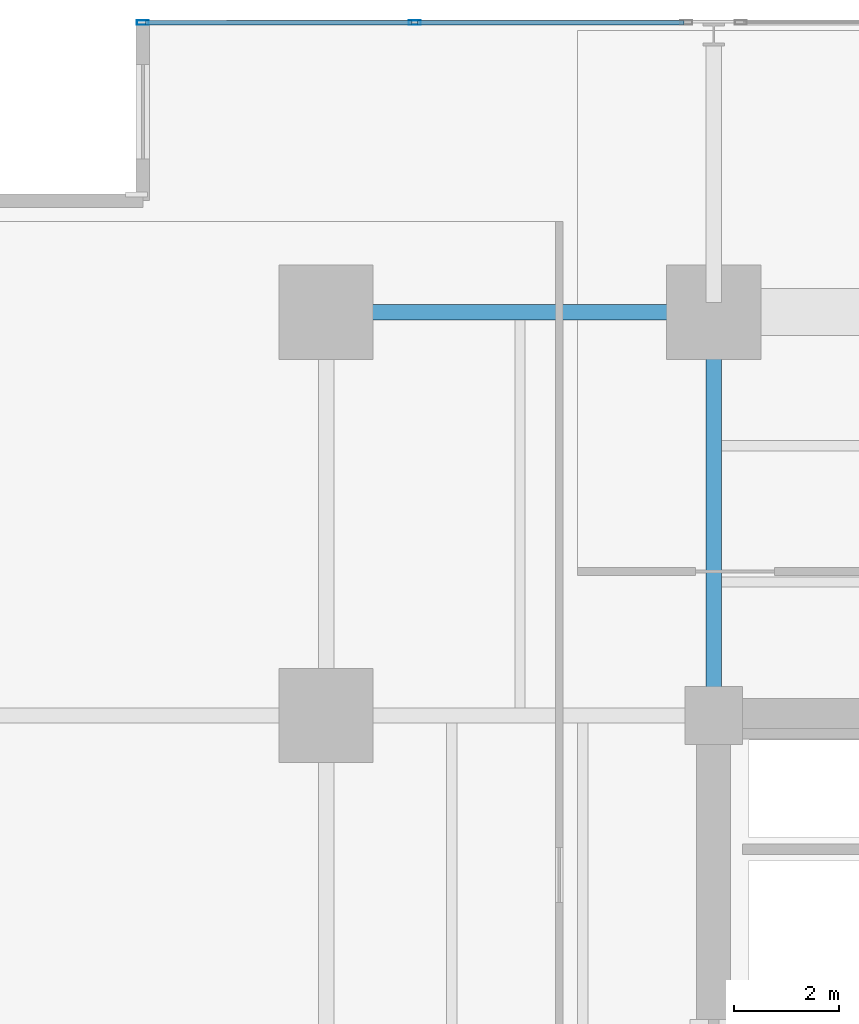
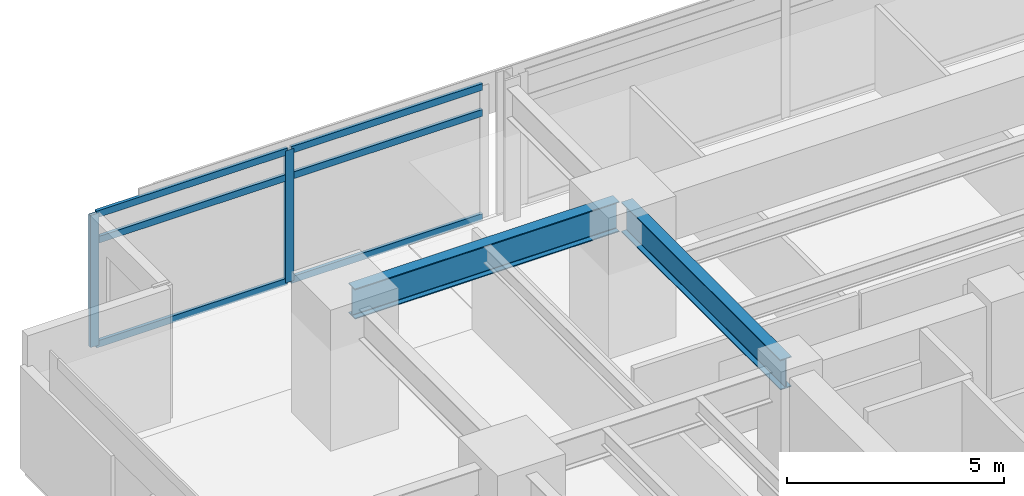
# One storey, part 6 of 23: 8 members, 2 beams, 1 element without a shape of its own.
"""IFC4 building model written with IfcOpenShell, lengths in metres."""

from ifc_helpers import new_model, si_unit, direction, frame, origin, origin_2d, place, context, subcontext, project, spatial, hollow_rectangle, i_section, extrude, material, material_profile, profile_set, type_object, element, aggregate, save


model = new_model("IFC4")

# Units and contexts
model_context = context("Model", 3, precision=1e-05, world=origin(), true_north=direction((0.0, 1.0)))
body_context = subcontext(model_context, "Body", "Model", "MODEL_VIEW")
ifc_project = project(units=[si_unit("LENGTHUNIT", "METRE"), si_unit("AREAUNIT", "SQUARE_METRE"), si_unit("VOLUMEUNIT", "CUBIC_METRE"), si_unit("PLANEANGLEUNIT", "RADIAN"), si_unit("MASSUNIT", "GRAM", prefix="KILO")], contexts=[model_context])

# Site, building, storey
site_placement = place(None, origin())
site = spatial("IfcSite", under=ifc_project, at=site_placement, CompositionType="ELEMENT")
building_placement = place(site_placement, origin())
building = spatial("IfcBuilding", under=site, at=building_placement, Name="Kovane Verandah Tower", CompositionType="ELEMENT")
storey_placement = place(building_placement, frame((0.0, 0.0, 55.60009765625)))
storey = spatial("IfcBuildingStorey", under=building, at=storey_placement, Name="L12", CompositionType="ELEMENT", Elevation=55.60009765625)

# Beams
ifc_material_1 = material(Name="Steel S355", Category="steel")
ifc_material_profile_1 = material_profile(ifc_material_1, i_section(OverallWidth=0.293701171875, OverallDepth=0.850830078125, WebThickness=0.01611328125, FlangeThickness=0.02685546875, FilletRadius=0.017822265625, at=origin_2d()), Name="UB838x292x226")
ifc_profile_set_1 = profile_set([ifc_material_profile_1], Name="Steel S355")
beam_type = type_object("IfcBeamType", Name="BM-UB838x226", PredefinedType="BEAM", material=ifc_profile_set_1)
beam_1_placement = place(storey_placement, frame((21.780029296875, 44.199951171875, 3.33447265625), z_axis=(1.0, 0.0, 0.0), x_axis=(0.0, 1.0, 0.0)))
element("IfcBeam", 1, at=beam_1_placement, inside=storey, type_object=beam_type, Name="L12 Primary Tower Girder G-RN1", PredefinedType="BEAM", context=body_context, shape_type="SweptSolid", body=[
    extrude(i_section(OverallWidth=0.293701171875, OverallDepth=0.850830078125, WebThickness=0.01611328125, FlangeThickness=0.02685546875, FilletRadius=0.017822265625, at=origin_2d()), origin(), (0.0, 0.0, 1.0), 7.0400390625),
])
beam_2_placement = place(storey_placement, frame((29.0, 36.679931640625, 3.33447265625), z_axis=(0.0, 1.0, 0.0), x_axis=(-1.0, 0.0, 0.0)))
element("IfcBeam", 2, at=beam_2_placement, inside=storey, type_object=beam_type, Name="L12 Primary Tower Girder G-N1", PredefinedType="BEAM", context=body_context, shape_type="SweptSolid", body=[
    extrude(i_section(OverallWidth=0.293701171875, OverallDepth=0.850830078125, WebThickness=0.01611328125, FlangeThickness=0.02685546875, FilletRadius=0.017822265625, at=origin_2d()), origin(), (0.0, 0.0, 1.0), 7.340087890625),
])

# Curtain wall, members
ifc_material_2 = material(Name="Champagne Anodised Aluminium Frame with Low-E Clear Laminated Glass", Category="aluminium")
curtain_wall_type = type_object("IfcCurtainWallType", Name="CW-SYS-02-LOW", PredefinedType="NOTDEFINED", material=ifc_material_2)
curtain_wall_placement = place(storey_placement, origin())
curtain_wall = element("IfcCurtainWall", 3, at=curtain_wall_placement, inside=storey, type_object=curtain_wall_type, Name="L12 N Unitised Curtain Wall-3", PredefinedType="NOTDEFINED")
ifc_material_3 = material(Name="Champagne Anodised Aluminium 6063-T6", Category="aluminium")
ifc_material_profile_2 = material_profile(ifc_material_3, hollow_rectangle(XDim=0.0849609375, YDim=0.22998046875, WallThickness=0.00390625, at=origin_2d()), Name="AL85x230x4")
ifc_profile_set_2 = profile_set([ifc_material_profile_2], Name="Champagne Anodised Aluminium 6063-T6")
member_type_1 = type_object("IfcMemberType", Name="CW-MUL-85x230", PredefinedType="MULLION", material=ifc_profile_set_2)
member_1_placement = place(storey_placement, frame((23.2919921875, 49.727294921875, 0.02001953125), z_axis=(0.0, 0.0, 1.0), x_axis=(0.0, 1.0, 0.0)))
member_1 = element("IfcMember", 4, at=member_1_placement, type_object=member_type_1, Name="L12 N Unitised Curtain Wall-3 Mullion 2", PredefinedType="MULLION", context=body_context, shape_type="SweptSolid", body=[
    extrude(hollow_rectangle(XDim=0.0849609375, YDim=0.22998046875, WallThickness=0.00390625, at=origin_2d()), origin(), (0.0, 0.0, 1.0), 3.719970703125),
])
member_2_placement = place(storey_placement, frame((18.10400390625, 49.727294921875, 0.02001953125), z_axis=(0.0, 0.0, 1.0), x_axis=(0.0, 1.0, 0.0)))
member_2 = element("IfcMember", 5, at=member_2_placement, type_object=member_type_1, Name="L12 N Unitised Curtain Wall-3 Mullion 3", PredefinedType="MULLION", context=body_context, shape_type="SweptSolid", body=[
    extrude(hollow_rectangle(XDim=0.0849609375, YDim=0.22998046875, WallThickness=0.00390625, at=origin_2d()), origin(), (0.0, 0.0, 1.0), 3.719970703125),
])
ifc_material_profile_3 = material_profile(ifc_material_3, hollow_rectangle(XDim=0.0849609375, YDim=0.18994140625, WallThickness=0.00390625, at=origin_2d()), Name="AL85x190x4")
ifc_profile_set_3 = profile_set([ifc_material_profile_3], Name="Champagne Anodised Aluminium 6063-T6")
member_type_2 = type_object("IfcMemberType", Name="CW-TRN-85x190", PredefinedType="USERDEFINED", material=ifc_profile_set_3)
member_3_placement = place(storey_placement, frame((28.429931640625, 49.727294921875, 0.0498046875), z_axis=(-1.0, 0.0, 0.0), x_axis=(0.0, -1.0, 0.0)))
member_3 = element("IfcMember", 6, at=member_3_placement, type_object=member_type_2, Name="L12 N Unitised Curtain Wall-3 Transom TB Bay 1", ObjectType="TRANSOM", PredefinedType="USERDEFINED", context=body_context, shape_type="SweptSolid", body=[
    extrude(hollow_rectangle(XDim=0.0849609375, YDim=0.18994140625, WallThickness=0.00390625, at=origin_2d()), origin(), (0.0, 0.0, 1.0), 5.087890625),
])
member_4_placement = place(storey_placement, frame((28.429931640625, 49.727294921875, 2.97998046875), z_axis=(-1.0, 0.0, 0.0), x_axis=(0.0, -1.0, 0.0)))
member_4 = element("IfcMember", 7, at=member_4_placement, type_object=member_type_2, Name="L12 N Unitised Curtain Wall-3 Transom TM Bay 1", ObjectType="TRANSOM", PredefinedType="USERDEFINED", context=body_context, shape_type="SweptSolid", body=[
    extrude(hollow_rectangle(XDim=0.0849609375, YDim=0.18994140625, WallThickness=0.00390625, at=origin_2d()), origin(), (0.0, 0.0, 1.0), 5.087890625),
])
member_5_placement = place(storey_placement, frame((28.429931640625, 49.727294921875, 3.7099609375), z_axis=(-1.0, 0.0, 0.0), x_axis=(0.0, -1.0, 0.0)))
member_5 = element("IfcMember", 8, at=member_5_placement, type_object=member_type_2, Name="L12 N Unitised Curtain Wall-3 Transom TT Bay 1", ObjectType="TRANSOM", PredefinedType="USERDEFINED", context=body_context, shape_type="SweptSolid", body=[
    extrude(hollow_rectangle(XDim=0.0849609375, YDim=0.18994140625, WallThickness=0.00390625, at=origin_2d()), origin(), (0.0, 0.0, 1.0), 5.087890625),
])
member_6_placement = place(storey_placement, frame((23.241943359375, 49.727294921875, 0.0498046875), z_axis=(-1.0, 0.0, 0.0), x_axis=(0.0, -1.0, 0.0)))
member_6 = element("IfcMember", 9, at=member_6_placement, type_object=member_type_2, Name="L12 N Unitised Curtain Wall-3 Transom TB Bay 2", ObjectType="TRANSOM", PredefinedType="USERDEFINED", context=body_context, shape_type="SweptSolid", body=[
    extrude(hollow_rectangle(XDim=0.0849609375, YDim=0.18994140625, WallThickness=0.00390625, at=origin_2d()), origin(), (0.0, 0.0, 1.0), 5.087890625),
])
member_7_placement = place(storey_placement, frame((23.241943359375, 49.727294921875, 2.97998046875), z_axis=(-1.0, 0.0, 0.0), x_axis=(0.0, -1.0, 0.0)))
member_7 = element("IfcMember", 10, at=member_7_placement, type_object=member_type_2, Name="L12 N Unitised Curtain Wall-3 Transom TM Bay 2", ObjectType="TRANSOM", PredefinedType="USERDEFINED", context=body_context, shape_type="SweptSolid", body=[
    extrude(hollow_rectangle(XDim=0.0849609375, YDim=0.18994140625, WallThickness=0.00390625, at=origin_2d()), origin(), (0.0, 0.0, 1.0), 5.087890625),
])
member_8_placement = place(storey_placement, frame((23.241943359375, 49.727294921875, 3.7099609375), z_axis=(-1.0, 0.0, 0.0), x_axis=(0.0, -1.0, 0.0)))
member_8 = element("IfcMember", 11, at=member_8_placement, type_object=member_type_2, Name="L12 N Unitised Curtain Wall-3 Transom TT Bay 2", ObjectType="TRANSOM", PredefinedType="USERDEFINED", context=body_context, shape_type="SweptSolid", body=[
    extrude(hollow_rectangle(XDim=0.0849609375, YDim=0.18994140625, WallThickness=0.00390625, at=origin_2d()), origin(), (0.0, 0.0, 1.0), 5.087890625),
])
aggregate(curtain_wall, [member_1, member_2, member_3, member_4, member_5, member_6, member_7, member_8])

save(model, "model.ifc")
